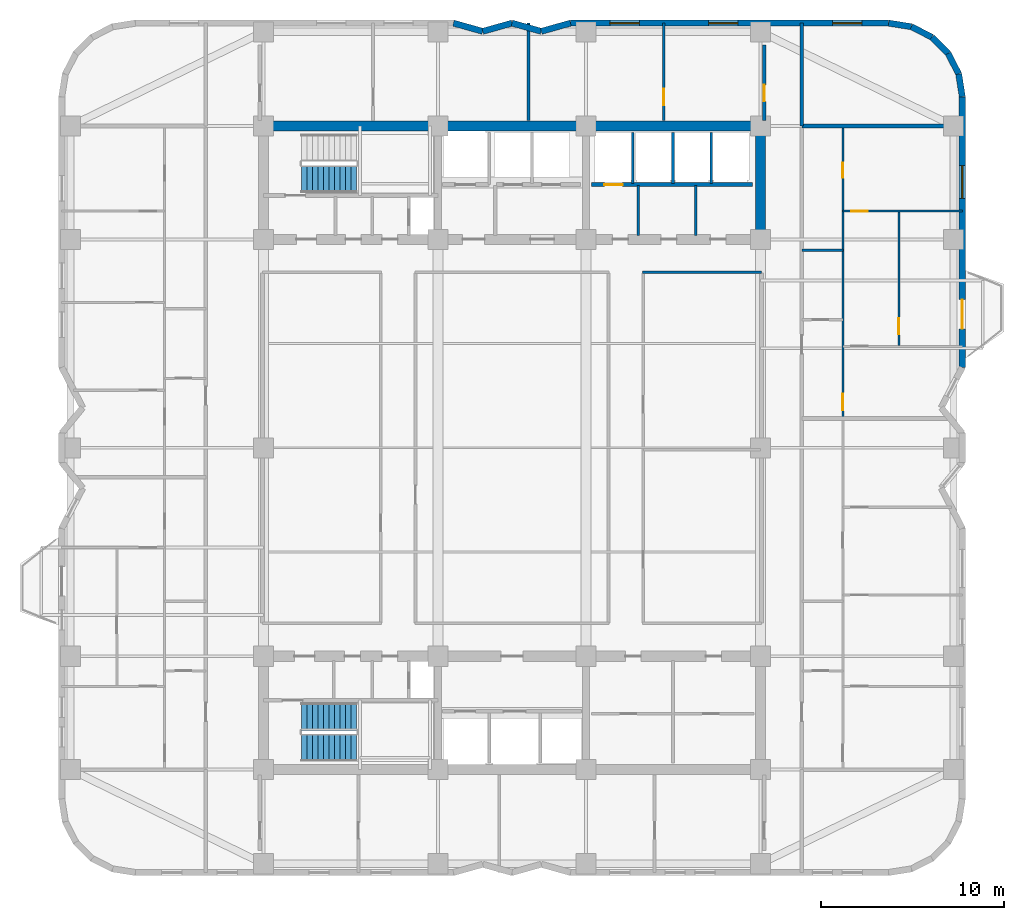
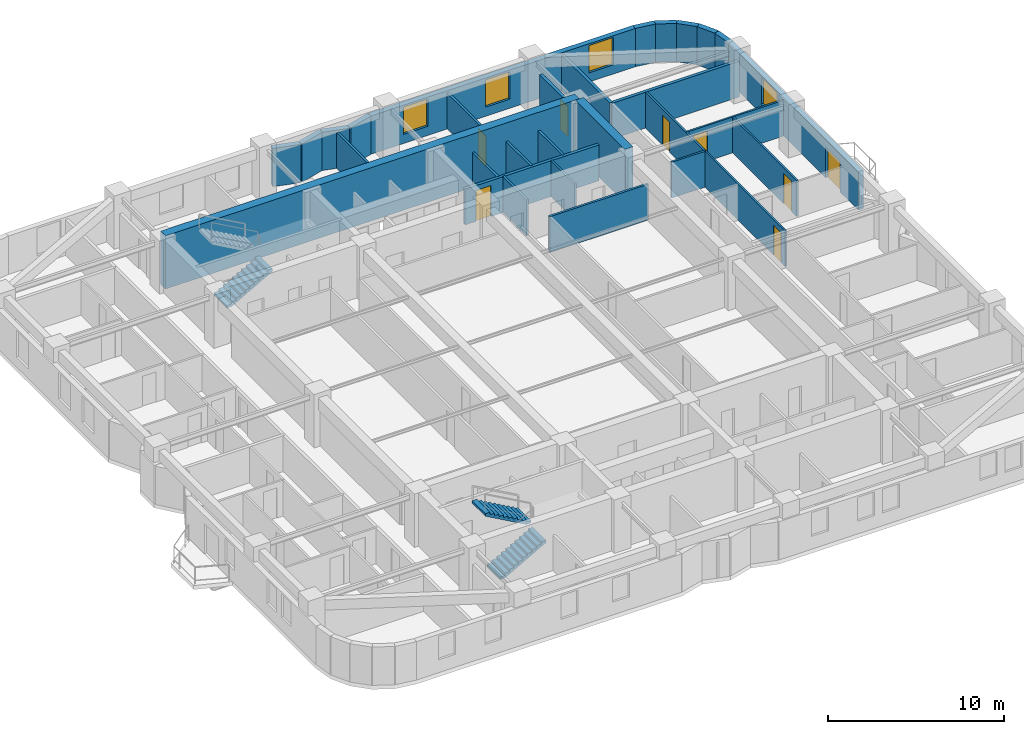
# One storey, part 7 of 10: 29 walls, 8 doors, 4 windows, 3 stair flights, 12 openings, 2 elements without a shape of their own.
"""IFC4 building model written with IfcOpenShell, lengths in metres."""

from ifc_helpers import new_model, si_unit, direction, frame, frame_2d, origin, place, context, subcontext, project, spatial, polyline, rectangle, outline, extrude, material, layer, layer_set, type_object, element, fill, aggregate, save


model = new_model("IFC4")

# Units and contexts
model_context = context("Model", 3, precision=1e-05, world=origin(), true_north=direction((0.0, 1.0)))
body_context = subcontext(model_context, "Body", "Model", "MODEL_VIEW")
ifc_project = project(units=[si_unit("LENGTHUNIT", "METRE"), si_unit("AREAUNIT", "SQUARE_METRE"), si_unit("VOLUMEUNIT", "CUBIC_METRE"), si_unit("PLANEANGLEUNIT", "RADIAN"), si_unit("MASSUNIT", "GRAM", prefix="KILO")], contexts=[model_context])

# Site, building, storey
site_placement = place(None, origin())
site = spatial("IfcSite", under=ifc_project, at=site_placement, CompositionType="ELEMENT")
building_placement = place(site_placement, origin())
building = spatial("IfcBuilding", under=site, at=building_placement, Name="Svetorya Sky Lyceum", CompositionType="ELEMENT")
storey_placement = place(building_placement, frame((0.0, 0.0, 132.699951171875)))
storey = spatial("IfcBuildingStorey", under=building, at=storey_placement, Name="L33", CompositionType="ELEMENT", Elevation=132.699951171875)

# Walls
ifc_material_1 = material(Name="Concrete C60/75", Category="concrete")
ifc_layer_1 = layer(ifc_material_1, 0.550048828125)
ifc_layer_set_1 = layer_set([ifc_layer_1], Name="Concrete C60/75")
wall_type_1 = type_object("IfcWallType", Name="WL-CORE-550", PredefinedType="SHEAR", material=ifc_layer_set_1)
wall_1_placement = place(storey_placement, frame((25.60009765625, 45.800048828125, 0.0), z_axis=(0.0, 0.0, 1.0), x_axis=(1.0, 0.0, 0.0)))
element("IfcWall", 1, at=wall_1_placement, inside=storey, type_object=wall_type_1, Name="L33 NC Outer Core Shear Wall", PredefinedType="SHEAR", context=body_context, shape_type="SweptSolid", body=[
    extrude(rectangle(XDim=27.199951171875, YDim=0.550048828125, at=frame_2d((13.60009765625, 0.0))), origin(), (0.0, 0.0, 1.0), 3.699951171875),
])
wall_2_placement = place(storey_placement, frame((52.800048828125, 39.875, 0.0), z_axis=(0.0, 0.0, 1.0), x_axis=(0.0, 1.0, 0.0)))
element("IfcWall", 2, at=wall_2_placement, inside=storey, type_object=wall_type_1, Name="L33 NC East Core Shear Wall", PredefinedType="SHEAR", context=body_context, shape_type="SweptSolid", body=[
    extrude(rectangle(XDim=5.64990234375, YDim=0.550048828125, at=frame_2d((2.824951171875, 0.0))), origin(), (0.0, 0.0, 1.0), 3.699951171875),
])

# Wall, openings, door, window
ifc_material_2 = material(Name="Putilovo limestone rainscreen on autoclaved cellular masonry", Category="masonry")
ifc_layer_2 = layer(ifc_material_2, 0.340087890625)
ifc_layer_set_2 = layer_set([ifc_layer_2], Name="Putilovo limestone rainscreen on autoclaved cellular masonry")
wall_type_2 = type_object("IfcWallType", Name="WL-EXT-340", PredefinedType="SOLIDWALL", material=ifc_layer_set_2)
wall_3_placement = place(storey_placement, frame((63.830078125, 32.60009765625, 0.0), z_axis=(0.0, 0.0, 1.0), x_axis=(0.0, 1.0, 0.0)))
wall_3 = element("IfcWall", 3, at=wall_3_placement, inside=storey, type_object=wall_type_2, Name="L33 Limestone Exterior Wall 23M", PredefinedType="SOLIDWALL", context=body_context, shape_type="SweptSolid", body=[
    extrude(rectangle(XDim=14.7998046875, YDim=0.340087890625, at=frame_2d((7.39990234375, 0.0))), origin(), (0.0, 0.0, 1.0), 2.66015625),
])
opening_1_placement = place(wall_3_placement, frame((2.10009765625, 0.0, 0.0)))
opening_1 = element("IfcOpeningElement", 4, at=opening_1_placement, cuts=wall_3, Name="Opening D-BL1", PredefinedType="OPENING", context=body_context, shape_type="SweptSolid", body=[
    extrude(rectangle(XDim=1.60009765625, YDim=2.10009765625, at=frame_2d((0.800048828125, 1.050048828125))), frame((0.0, 0.179931640625, 0.0), z_axis=(0.0, -1.0, 0.0), x_axis=(1.0, 0.0, 0.0)), (0.0, 0.0, 1.0), 0.360107421875),
])
opening_2_placement = place(wall_3_placement, frame((9.237548828125, 0.0, 0.68994140625)))
opening_2 = element("IfcOpeningElement", 5, at=opening_2_placement, cuts=wall_3, Name="Opening W-R1", PredefinedType="OPENING", context=body_context, shape_type="SweptSolid", body=[
    extrude(rectangle(XDim=1.800048828125, YDim=1.85009765625, at=frame_2d((0.89990234375, 0.925048828125))), frame((0.0, 0.179931640625, 0.0), z_axis=(0.0, -1.0, 0.0), x_axis=(1.0, 0.0, 0.0)), (0.0, 0.0, 1.0), 0.360107421875),
])
ifc_material_3 = material(Name="Insulated glazed aluminium balcony door", Category="aluminium")
door_type_1 = type_object("IfcDoorType", Name="DR-BAL-1600", OperationType="DOUBLE_DOOR_SINGLE_SWING", PredefinedType="DOOR", material=ifc_material_3)
door_1_placement = place(opening_1_placement, origin())
door_1 = element("IfcDoor", 6, at=door_1_placement, inside=storey, type_object=door_type_1, Name="L33 Balcony BAL-E1 Door", OperationType="DOUBLE_DOOR_SINGLE_SWING", OverallHeight=2.10009765625, OverallWidth=1.60009765625, PredefinedType="DOOR", context=body_context, shape_type="SweptSolid", body=[
    extrude(rectangle(XDim=1.60009765625, YDim=2.10009765625, at=frame_2d((0.800048828125, 1.050048828125))), frame((0.0, 0.02490234375, 0.0), z_axis=(0.0, -1.0, 0.0), x_axis=(1.0, 0.0, 0.0)), (0.0, 0.0, 1.0), 0.050048828125),
])
fill(opening_1, door_1)
ifc_material_4 = material(Name="Thermally broken aluminium frame with triple low-E glazing", Category="aluminium")
window_type_1 = type_object("IfcWindowType", Name="WN-RES-180", PartitioningType="DOUBLE_PANEL_VERTICAL", PredefinedType="WINDOW", material=ifc_material_4)
window_1_placement = place(opening_2_placement, origin())
window_1 = element("IfcWindow", 7, at=window_1_placement, inside=storey, type_object=window_type_1, Name="L33 Facade Window W-R1.23M.1", OverallHeight=1.85009765625, OverallWidth=1.800048828125, PartitioningType="SINGLE_PANEL", PredefinedType="WINDOW", context=body_context, shape_type="SweptSolid", body=[
    extrude(rectangle(XDim=1.800048828125, YDim=1.85009765625, at=frame_2d((0.89990234375, 0.925048828125))), frame((0.0, 0.030029296875, 0.0), z_axis=(0.0, -1.0, 0.0), x_axis=(1.0, 0.0, 0.0)), (0.0, 0.0, 1.0), 0.06005859375),
])
fill(opening_2, window_1)

# Walls
for number, where, z_axis, x_axis, name in (
    (8, (63.830078125, 47.39990234375, 0.0), (0.0, 0.0, 1.0), (-0.15644975923, 0.987685918112, 0.0), "L33 Limestone Exterior Wall 24M"),
    (9, (63.6328125, 48.645263671875, 0.0), (0.0, 0.0, 1.0), (-0.454015689056, 0.890993689142, 0.0), "L33 Limestone Exterior Wall 25M"),
    (10, (63.060302734375, 49.768798828125, 0.0), (0.0, 0.0, 1.0), (-0.707106781187, 0.707106781187, 0.0), "L33 Limestone Exterior Wall 26M"),
):
    element("IfcWall", number, at=place(storey_placement, frame(where, z_axis=z_axis, x_axis=x_axis)), inside=storey, type_object=wall_type_2, Name=name, PredefinedType="SOLIDWALL", context=body_context, shape_type="SweptSolid", body=[
        extrude(rectangle(XDim=1.260986328125, YDim=0.340087890625, at=frame_2d((0.63037109375, 0.0))), origin(), (0.0, 0.0, 1.0), 2.66015625),
    ])
for number, where, z_axis, x_axis, name in (
    (11, (62.168701171875, 50.660400390625, 0.0), (0.0, 0.0, 1.0), (-0.890953769915, 0.454094020963, 0.0), "L33 Limestone Exterior Wall 27M"),
    (12, (61.04541015625, 51.23291015625, 0.0), (0.0, 0.0, 1.0), (-0.98771582066, 0.156260864002, 0.0), "L33 Limestone Exterior Wall 28M"),
):
    element("IfcWall", number, at=place(storey_placement, frame(where, z_axis=z_axis, x_axis=x_axis)), inside=storey, type_object=wall_type_2, Name=name, PredefinedType="SOLIDWALL", context=body_context, shape_type="SweptSolid", body=[
        extrude(rectangle(XDim=1.2607421875, YDim=0.340087890625, at=frame_2d((0.63037109375, 0.0))), origin(), (0.0, 0.0, 1.0), 2.66015625),
    ])

# Wall, openings, windows
wall_4_placement = place(storey_placement, frame((59.800048828125, 51.429931640625, 0.0), z_axis=(0.0, 0.0, 1.0), x_axis=(-1.0, 0.0, 0.0)))
wall_4 = element("IfcWall", 13, at=wall_4_placement, inside=storey, type_object=wall_type_2, Name="L33 Limestone Exterior Wall 29M", PredefinedType="SOLIDWALL", context=body_context, shape_type="SweptSolid", body=[
    extrude(rectangle(XDim=17.400146484375, YDim=0.340087890625, at=frame_2d((8.7001953125, 0.0))), origin(), (0.0, 0.0, 1.0), 2.66015625),
])
opening_3_placement = place(wall_4_placement, frame((1.4599609375, 0.0, 0.639892578125)))
opening_3 = element("IfcOpeningElement", 14, at=opening_3_placement, cuts=wall_4, Name="Opening W-R4", PredefinedType="OPENING", context=body_context, shape_type="SweptSolid", body=[
    extrude(rectangle(XDim=1.60009765625, YDim=1.89990234375, at=frame_2d((0.800048828125, 0.949951171875))), frame((0.0, 0.179931640625, 0.0), z_axis=(0.0, -1.0, 0.0), x_axis=(1.0, 0.0, 0.0)), (0.0, 0.0, 1.0), 0.360107421875),
])
opening_4_placement = place(wall_4_placement, frame((8.25, 0.0, 0.639892578125)))
opening_4 = element("IfcOpeningElement", 15, at=opening_4_placement, cuts=wall_4, Name="Opening W-R4", PredefinedType="OPENING", context=body_context, shape_type="SweptSolid", body=[
    extrude(rectangle(XDim=1.60009765625, YDim=1.89990234375, at=frame_2d((0.800048828125, 0.949951171875))), frame((0.0, 0.179931640625, 0.0), z_axis=(0.0, -1.0, 0.0), x_axis=(1.0, 0.0, 0.0)), (0.0, 0.0, 1.0), 0.360107421875),
])
opening_5_placement = place(wall_4_placement, frame((13.639892578125, 0.0, 0.639892578125)))
opening_5 = element("IfcOpeningElement", 16, at=opening_5_placement, cuts=wall_4, Name="Opening W-R4", PredefinedType="OPENING", context=body_context, shape_type="SweptSolid", body=[
    extrude(rectangle(XDim=1.60009765625, YDim=1.89990234375, at=frame_2d((0.800048828125, 0.949951171875))), frame((0.0, 0.179931640625, 0.0), z_axis=(0.0, -1.0, 0.0), x_axis=(1.0, 0.0, 0.0)), (0.0, 0.0, 1.0), 0.360107421875),
])
window_type_2 = type_object("IfcWindowType", Name="WN-RES-160", PartitioningType="DOUBLE_PANEL_VERTICAL", PredefinedType="WINDOW", material=ifc_material_4)
window_2_placement = place(opening_3_placement, origin())
window_2 = element("IfcWindow", 17, at=window_2_placement, inside=storey, type_object=window_type_2, Name="L33 Facade Window W-R4.29M.1", OverallHeight=1.89990234375, OverallWidth=1.60009765625, PartitioningType="SINGLE_PANEL", PredefinedType="WINDOW", context=body_context, shape_type="SweptSolid", body=[
    extrude(rectangle(XDim=1.60009765625, YDim=1.89990234375, at=frame_2d((0.800048828125, 0.949951171875))), frame((0.0, 0.030029296875, 0.0), z_axis=(0.0, -1.0, 0.0), x_axis=(1.0, 0.0, 0.0)), (0.0, 0.0, 1.0), 0.06005859375),
])
fill(opening_3, window_2)
window_3_placement = place(opening_4_placement, origin())
window_3 = element("IfcWindow", 18, at=window_3_placement, inside=storey, type_object=window_type_2, Name="L33 Facade Window W-R4.29M.2", OverallHeight=1.89990234375, OverallWidth=1.60009765625, PartitioningType="SINGLE_PANEL", PredefinedType="WINDOW", context=body_context, shape_type="SweptSolid", body=[
    extrude(rectangle(XDim=1.60009765625, YDim=1.89990234375, at=frame_2d((0.800048828125, 0.949951171875))), frame((0.0, 0.030029296875, 0.0), z_axis=(0.0, -1.0, 0.0), x_axis=(1.0, 0.0, 0.0)), (0.0, 0.0, 1.0), 0.06005859375),
])
fill(opening_4, window_3)
window_4_placement = place(opening_5_placement, origin())
window_4 = element("IfcWindow", 19, at=window_4_placement, inside=storey, type_object=window_type_2, Name="L33 Facade Window W-R4.29M.3", OverallHeight=1.89990234375, OverallWidth=1.60009765625, PartitioningType="SINGLE_PANEL", PredefinedType="WINDOW", context=body_context, shape_type="SweptSolid", body=[
    extrude(rectangle(XDim=1.60009765625, YDim=1.89990234375, at=frame_2d((0.800048828125, 0.949951171875))), frame((0.0, 0.030029296875, 0.0), z_axis=(0.0, -1.0, 0.0), x_axis=(1.0, 0.0, 0.0)), (0.0, 0.0, 1.0), 0.06005859375),
])
fill(opening_5, window_4)

# Walls
wall_5_placement = place(storey_placement, frame((42.39990234375, 51.429931640625, 0.0), z_axis=(0.0, 0.0, 1.0), x_axis=(-0.962652136636, -0.270741322725, 0.0)))
element("IfcWall", 20, at=wall_5_placement, inside=storey, type_object=wall_type_2, Name="L33 Limestone Exterior Wall 30M", PredefinedType="SOLIDWALL", context=body_context, shape_type="SweptSolid", body=[
    extrude(rectangle(XDim=1.661865234375, YDim=0.340087890625, at=frame_2d((0.8310546875, 0.0))), origin(), (0.0, 0.0, 1.0), 2.66015625),
])
wall_6_placement = place(storey_placement, frame((40.800048828125, 50.97998046875, 0.0), z_axis=(0.0, 0.0, 1.0), x_axis=(-0.962662902433, 0.270703040766, 0.0)))
element("IfcWall", 21, at=wall_6_placement, inside=storey, type_object=wall_type_2, Name="L33 Limestone Exterior Wall 31M", PredefinedType="SOLIDWALL", context=body_context, shape_type="SweptSolid", body=[
    extrude(rectangle(XDim=1.662109375, YDim=0.340087890625, at=frame_2d((0.8310546875, 0.0))), origin(), (0.0, 0.0, 1.0), 2.66015625),
])
wall_7_placement = place(storey_placement, frame((39.199951171875, 51.429931640625, 0.0), z_axis=(0.0, 0.0, 1.0), x_axis=(-0.962652136636, -0.270741322725, 0.0)))
element("IfcWall", 22, at=wall_7_placement, inside=storey, type_object=wall_type_2, Name="L33 Limestone Exterior Wall 32M", PredefinedType="SOLIDWALL", context=body_context, shape_type="SweptSolid", body=[
    extrude(rectangle(XDim=1.661865234375, YDim=0.340087890625, at=frame_2d((0.8310546875, 0.0))), origin(), (0.0, 0.0, 1.0), 2.66015625),
])
wall_8_placement = place(storey_placement, frame((37.60009765625, 50.97998046875, 0.0), z_axis=(0.0, 0.0, 1.0), x_axis=(-0.962662902433, 0.270703040766, 0.0)))
element("IfcWall", 23, at=wall_8_placement, inside=storey, type_object=wall_type_2, Name="L33 Limestone Exterior Wall 33M", PredefinedType="SOLIDWALL", context=body_context, shape_type="SweptSolid", body=[
    extrude(rectangle(XDim=1.662109375, YDim=0.340087890625, at=frame_2d((0.8310546875, 0.0))), origin(), (0.0, 0.0, 1.0), 2.66015625),
])

# Wall, opening, door
ifc_material_5 = material(Name="Twin-stud galvanized framing with double fireboard", Category="gypsum")
ifc_layer_3 = layer(ifc_material_5, 0.1201171875)
ifc_layer_set_3 = layer_set([ifc_layer_3], Name="Twin-stud galvanized framing with double fireboard")
wall_type_3 = type_object("IfcWallType", Name="WL-PART-120", PredefinedType="PARTITIONING", material=ifc_layer_set_3)
wall_9_placement = place(storey_placement, frame((60.36083984375, 33.7900390625, 0.0), z_axis=(0.0, 0.0, 1.0), x_axis=(0.0, 1.0, 0.0)))
wall_9 = element("IfcWall", 24, at=wall_9_placement, inside=storey, type_object=wall_type_3, Name="L33 Interior Partition E2-BVD1", PredefinedType="PARTITIONING", context=body_context, shape_type="SweptSolid", body=[
    extrude(rectangle(XDim=7.320068359375, YDim=0.1201171875, at=frame_2d((3.66015625, 0.0))), origin(), (0.0, 0.0, 1.0), 2.489990234375),
])
opening_6_placement = place(wall_9_placement, frame((0.610107421875, 0.0, 0.0)))
opening_6 = element("IfcOpeningElement", 25, at=opening_6_placement, cuts=wall_9, Name="Opening D-RM1", PredefinedType="OPENING", context=body_context, shape_type="SweptSolid", body=[
    extrude(rectangle(XDim=0.89990234375, YDim=2.10009765625, at=frame_2d((0.449951171875, 1.050048828125))), frame((0.0, 0.070068359375, 0.0), z_axis=(0.0, -1.0, 0.0), x_axis=(1.0, 0.0, 0.0)), (0.0, 0.0, 1.0), 0.14013671875),
])
ifc_material_6 = material(Name="Lacquered birch veneer internal door")
door_type_2 = type_object("IfcDoorType", Name="DR-INT-900", OperationType="SINGLE_SWING_LEFT", PredefinedType="DOOR", material=ifc_material_6)
door_2_placement = place(opening_6_placement, origin())
door_2 = element("IfcDoor", 26, at=door_2_placement, inside=storey, type_object=door_type_2, Name="Apartment E2 Suite Bedroom Door", OperationType="SINGLE_SWING_LEFT", OverallHeight=2.10009765625, OverallWidth=0.89990234375, PredefinedType="DOOR", context=body_context, shape_type="SweptSolid", body=[
    extrude(rectangle(XDim=0.89990234375, YDim=2.10009765625, at=frame_2d((0.449951171875, 1.050048828125))), frame((0.0, 0.02490234375, 0.0), z_axis=(0.0, -1.0, 0.0), x_axis=(1.0, 0.0, 0.0)), (0.0, 0.0, 1.0), 0.050048828125),
])
fill(opening_6, door_2)

wall_10_placement = place(storey_placement, frame((57.300048828125, 41.14990234375, 0.0), z_axis=(0.0, 0.0, 1.0), x_axis=(1.0, 0.0, 0.0)))
wall_10 = element("IfcWall", 27, at=wall_10_placement, inside=storey, type_object=wall_type_3, Name="L33 Interior Partition E2-WL2", PredefinedType="PARTITIONING", context=body_context, shape_type="SweptSolid", body=[
    extrude(rectangle(XDim=6.530029296875, YDim=0.1201171875, at=frame_2d((3.26513671875, 0.0))), origin(), (0.0, 0.0, 1.0), 2.489990234375),
])
opening_7_placement = place(wall_10_placement, frame((0.449951171875, 0.0, 0.0)))
opening_7 = element("IfcOpeningElement", 28, at=opening_7_placement, cuts=wall_10, Name="Opening D-RM1", PredefinedType="OPENING", context=body_context, shape_type="SweptSolid", body=[
    extrude(rectangle(XDim=0.89990234375, YDim=2.10009765625, at=frame_2d((0.449951171875, 1.050048828125))), frame((0.0, 0.070068359375, 0.0), z_axis=(0.0, -1.0, 0.0), x_axis=(1.0, 0.0, 0.0)), (0.0, 0.0, 1.0), 0.14013671875),
])
door_3_placement = place(opening_7_placement, origin())
door_3 = element("IfcDoor", 29, at=door_3_placement, inside=storey, type_object=door_type_2, Name="Apartment E2 Bedroom 2 Door", OperationType="SINGLE_SWING_RIGHT", OverallHeight=2.10009765625, OverallWidth=0.89990234375, PredefinedType="DOOR", context=body_context, shape_type="SweptSolid", body=[
    extrude(rectangle(XDim=0.89990234375, YDim=2.10009765625, at=frame_2d((0.449951171875, 1.050048828125))), frame((0.0, 0.02490234375, 0.0), z_axis=(0.0, -1.0, 0.0), x_axis=(1.0, 0.0, 0.0)), (0.0, 0.0, 1.0), 0.050048828125),
])
fill(opening_7, door_3)

# Wall, openings, doors
wall_11_placement = place(storey_placement, frame((57.300048828125, 29.840087890625, 0.0), z_axis=(0.0, 0.0, 1.0), x_axis=(0.0, 1.0, 0.0)))
wall_11 = element("IfcWall", 30, at=wall_11_placement, inside=storey, type_object=wall_type_3, Name="L33 Interior Partition E2-WV", PredefinedType="PARTITIONING", context=body_context, shape_type="SweptSolid", body=[
    extrude(rectangle(XDim=15.919921875, YDim=0.1201171875, at=frame_2d((7.9599609375, 0.0))), origin(), (0.0, 0.0, 1.0), 2.489990234375),
])
opening_8_placement = place(wall_11_placement, frame((0.409912109375, 0.0, 0.0)))
opening_8 = element("IfcOpeningElement", 31, at=opening_8_placement, cuts=wall_11, Name="Opening D-RM1", PredefinedType="OPENING", context=body_context, shape_type="SweptSolid", body=[
    extrude(rectangle(XDim=0.89990234375, YDim=2.10009765625, at=frame_2d((0.449951171875, 1.050048828125))), frame((0.0, 0.070068359375, 0.0), z_axis=(0.0, -1.0, 0.0), x_axis=(1.0, 0.0, 0.0)), (0.0, 0.0, 1.0), 0.14013671875),
])
opening_9_placement = place(wall_11_placement, frame((13.125, 0.0, 0.0)))
opening_9 = element("IfcOpeningElement", 32, at=opening_9_placement, cuts=wall_11, Name="Opening D-BT2", PredefinedType="OPENING", context=body_context, shape_type="SweptSolid", body=[
    extrude(rectangle(XDim=0.820068359375, YDim=2.080078125, at=frame_2d((0.41015625, 1.0400390625))), frame((0.0, 0.070068359375, 0.0), z_axis=(0.0, -1.0, 0.0), x_axis=(1.0, 0.0, 0.0)), (0.0, 0.0, 1.0), 0.14013671875),
])
door_4_placement = place(opening_8_placement, origin())
door_4 = element("IfcDoor", 33, at=door_4_placement, inside=storey, type_object=door_type_2, Name="Apartment E2 Living Door", OperationType="SINGLE_SWING_RIGHT", OverallHeight=2.10009765625, OverallWidth=0.89990234375, PredefinedType="DOOR", context=body_context, shape_type="SweptSolid", body=[
    extrude(rectangle(XDim=0.89990234375, YDim=2.10009765625, at=frame_2d((0.449951171875, 1.050048828125))), frame((0.0, 0.02490234375, 0.0), z_axis=(0.0, -1.0, 0.0), x_axis=(1.0, 0.0, 0.0)), (0.0, 0.0, 1.0), 0.050048828125),
])
fill(opening_8, door_4)
ifc_material_7 = material(Name="Compact moisture-resistant laminate closet door")
door_type_3 = type_object("IfcDoorType", Name="DR-WET-820", OperationType="SINGLE_SWING_LEFT", PredefinedType="DOOR", material=ifc_material_7)
door_5_placement = place(opening_9_placement, origin())
door_5 = element("IfcDoor", 34, at=door_5_placement, inside=storey, type_object=door_type_3, Name="Apartment E2 Study Door", OperationType="SINGLE_SWING_LEFT", OverallHeight=2.080078125, OverallWidth=0.820068359375, PredefinedType="DOOR", context=body_context, shape_type="SweptSolid", body=[
    extrude(rectangle(XDim=0.820068359375, YDim=2.080078125, at=frame_2d((0.41015625, 1.0400390625))), frame((0.0, 0.02490234375, 0.0), z_axis=(0.0, -1.0, 0.0), x_axis=(1.0, 0.0, 0.0)), (0.0, 0.0, 1.0), 0.050048828125),
])
fill(opening_9, door_5)

# Walls
ifc_material_8 = material(Name="Twin-stud galvanized framing with acoustic board", Category="gypsum")
ifc_layer_4 = layer(ifc_material_8, 0.135009765625)
ifc_layer_set_4 = layer_set([ifc_layer_4], Name="Twin-stud galvanized framing with acoustic board")
wall_type_4 = type_object("IfcWallType", Name="WL-PART-135", PredefinedType="PARTITIONING", material=ifc_layer_set_4)
wall_12_placement = place(storey_placement, frame((49.25, 39.820068359375, 0.0), z_axis=(0.0, 0.0, 1.0), x_axis=(0.0, 1.0, 0.0)))
element("IfcWall", 35, at=wall_12_placement, inside=storey, type_object=wall_type_4, Name="L33 Interior Partition NC-Z2ED", PredefinedType="PARTITIONING", context=body_context, shape_type="SweptSolid", body=[
    extrude(rectangle(XDim=2.72998046875, YDim=0.135009765625, at=frame_2d((1.364990234375, 0.0))), origin(), (0.0, 0.0, 1.0), 2.489990234375),
])
wall_13_placement = place(storey_placement, frame((55.050048828125, 39.0, 0.0), z_axis=(0.0, 0.0, 1.0), x_axis=(1.0, 0.0, 0.0)))
element("IfcWall", 36, at=wall_13_placement, inside=storey, type_object=wall_type_4, Name="L33 Interior Partition E2-WH2", PredefinedType="PARTITIONING", context=body_context, shape_type="SweptSolid", body=[
    extrude(rectangle(XDim=2.25, YDim=0.135009765625, at=frame_2d((1.125, 0.0))), origin(), (0.0, 0.0, 1.0), 2.489990234375),
])
ifc_material_9 = material(Name="Autoclaved cellular masonry blockwork with acoustic render", Category="masonry")
ifc_layer_5 = layer(ifc_material_9, 0.14990234375)
ifc_layer_set_5 = layer_set([ifc_layer_5], Name="Autoclaved cellular masonry blockwork with acoustic render")
wall_type_5 = type_object("IfcWallType", Name="WL-PART-150", PredefinedType="PARTITIONING", material=ifc_layer_set_5)
for number, where, z_axis, x_axis, name in (
    (37, (45.800048828125, 42.64990234375, 0.0), (0.0, 0.0, 1.0), (0.0, 1.0, 0.0), "L33 Interior Partition NC-PM3-D"),
    (38, (48.0, 42.64990234375, 0.0), (0.0, 0.0, 1.0), (0.0, 1.0, 0.0), "L33 Interior Partition NC-PH-D1"),
    (39, (50.10009765625, 42.64990234375, 0.0), (0.0, 0.0, 1.0), (0.0, 1.0, 0.0), "L33 Interior Partition NC-PH-D2"),
):
    element("IfcWall", number, at=place(storey_placement, frame(where, z_axis=z_axis, x_axis=x_axis)), inside=storey, type_object=wall_type_5, Name=name, PredefinedType="PARTITIONING", context=body_context, shape_type="SweptSolid", body=[
        extrude(rectangle(XDim=2.800048828125, YDim=0.14990234375, at=frame_2d((1.39990234375, 0.0))), origin(), (0.0, 0.0, 1.0), 2.489990234375),
    ])
wall_14_placement = place(storey_placement, frame((46.10009765625, 39.820068359375, 0.0), z_axis=(0.0, 0.0, 1.0), x_axis=(0.0, 1.0, 0.0)))
element("IfcWall", 40, at=wall_14_placement, inside=storey, type_object=wall_type_5, Name="L33 Interior Partition NC-PM3SEP", PredefinedType="PARTITIONING", context=body_context, shape_type="SweptSolid", body=[
    extrude(rectangle(XDim=2.72998046875, YDim=0.14990234375, at=frame_2d((1.364990234375, 0.0))), origin(), (0.0, 0.0, 1.0), 2.489990234375),
])
wall_15_placement = place(storey_placement, frame((46.35009765625, 37.800048828125, 0.0), z_axis=(0.0, 0.0, 1.0), x_axis=(1.0, 0.0, 0.0)))
element("IfcWall", 41, at=wall_15_placement, inside=storey, type_object=wall_type_5, Name="L33 Interior Partition RL-CN-E", PredefinedType="PARTITIONING", context=body_context, shape_type="SweptSolid", body=[
    extrude(rectangle(XDim=6.5, YDim=0.14990234375, at=frame_2d((3.25, 0.0))), origin(), (0.0, 0.0, 1.0), 2.489990234375),
])
wall_16_placement = place(storey_placement, frame((40.10009765625, 46.10009765625, 0.0), z_axis=(0.0, 0.0, 1.0), x_axis=(0.0, 1.0, 0.0)))
element("IfcWall", 42, at=wall_16_placement, inside=storey, type_object=wall_type_5, Name="L33 Interior Partition N4-D2", PredefinedType="PARTITIONING", context=body_context, shape_type="SweptSolid", body=[
    extrude(rectangle(XDim=5.329833984375, YDim=0.14990234375, at=frame_2d((2.6650390625, 0.0))), origin(), (0.0, 0.0, 1.0), 2.489990234375),
])

# Wall, opening, door
wall_17_placement = place(storey_placement, frame((47.5, 46.10009765625, 0.0), z_axis=(0.0, 0.0, 1.0), x_axis=(0.0, 1.0, 0.0)))
wall_17 = element("IfcWall", 43, at=wall_17_placement, inside=storey, type_object=wall_type_5, Name="L33 Interior Partition N4-D3", PredefinedType="PARTITIONING", context=body_context, shape_type="SweptSolid", body=[
    extrude(rectangle(XDim=5.329833984375, YDim=0.14990234375, at=frame_2d((2.6650390625, 0.0))), origin(), (0.0, 0.0, 1.0), 2.489990234375),
])
opening_10_placement = place(wall_17_placement, frame((0.85009765625, 0.0, 0.0)))
opening_10 = element("IfcOpeningElement", 44, at=opening_10_placement, cuts=wall_17, Name="Opening D-RM1", PredefinedType="OPENING", context=body_context, shape_type="SweptSolid", body=[
    extrude(rectangle(XDim=0.89990234375, YDim=2.10009765625, at=frame_2d((0.449951171875, 1.050048828125))), frame((0.0, 0.0849609375, 0.0), z_axis=(0.0, -1.0, 0.0), x_axis=(1.0, 0.0, 0.0)), (0.0, 0.0, 1.0), 0.169921875),
])
door_6_placement = place(opening_10_placement, origin())
door_6 = element("IfcDoor", 45, at=door_6_placement, inside=storey, type_object=door_type_2, Name="L33 North Suite Door 3", OperationType="SINGLE_SWING_RIGHT", OverallHeight=2.10009765625, OverallWidth=0.89990234375, PredefinedType="DOOR", context=body_context, shape_type="SweptSolid", body=[
    extrude(rectangle(XDim=0.89990234375, YDim=2.10009765625, at=frame_2d((0.449951171875, 1.050048828125))), frame((0.0, 0.02490234375, 0.0), z_axis=(0.0, -1.0, 0.0), x_axis=(1.0, 0.0, 0.0)), (0.0, 0.0, 1.0), 0.050048828125),
])
fill(opening_10, door_6)

ifc_material_10 = material(Name="Autoclaved cellular masonry blockwork with gypsum plaster", Category="masonry")
ifc_layer_6 = layer(ifc_material_10, 0.199951171875)
ifc_layer_set_6 = layer_set([ifc_layer_6], Name="Autoclaved cellular masonry blockwork with gypsum plaster")
wall_type_6 = type_object("IfcWallType", Name="WL-PART-200", PredefinedType="PARTITIONING", material=ifc_layer_set_6)
wall_18_placement = place(storey_placement, frame((52.35009765625, 42.60009765625, 0.0), z_axis=(0.0, 0.0, 1.0), x_axis=(-1.0, 0.0, 0.0)))
wall_18 = element("IfcWall", 46, at=wall_18_placement, inside=storey, type_object=wall_type_6, Name="L33 Interior Partition NC-PHEW", PredefinedType="PARTITIONING", context=body_context, shape_type="SweptSolid", body=[
    extrude(rectangle(XDim=8.800048828125, YDim=0.199951171875, at=frame_2d((4.39990234375, 0.0))), origin(), (0.0, 0.0, 1.0), 2.489990234375),
])
opening_11_placement = place(wall_18_placement, frame((7.10009765625, 0.0, 0.0)))
opening_11 = element("IfcOpeningElement", 47, at=opening_11_placement, cuts=wall_18, Name="Opening LD-P1", PredefinedType="OPENING", context=body_context, shape_type="SweptSolid", body=[
    extrude(rectangle(XDim=1.0, YDim=2.14990234375, at=frame_2d((0.5, 1.074951171875))), frame((0.0, 0.10986328125, 0.0), z_axis=(0.0, -1.0, 0.0), x_axis=(1.0, 0.0, 0.0)), (0.0, 0.0, 1.0), 0.219970703125),
])
ifc_material_11 = material(Name="Champagne-anodized stainless passenger lift landing door")
door_type_4 = type_object("IfcDoorType", Name="DR-LIFT-1000", OperationType="SLIDING_TO_LEFT", PredefinedType="DOOR", material=ifc_material_11)
door_7_placement = place(opening_11_placement, origin())
door_7 = element("IfcDoor", 48, at=door_7_placement, inside=storey, type_object=door_type_4, Name="L33 Passenger Lift PM3 Landing Door", OperationType="SLIDING_TO_LEFT", OverallHeight=2.14990234375, OverallWidth=1.0, PredefinedType="DOOR", context=body_context, shape_type="SweptSolid", body=[
    extrude(rectangle(XDim=1.0, YDim=2.14990234375, at=frame_2d((0.5, 1.074951171875))), frame((0.0, 0.02490234375, 0.0), z_axis=(0.0, -1.0, 0.0), x_axis=(1.0, 0.0, 0.0)), (0.0, 0.0, 1.0), 0.050048828125),
])
fill(opening_11, door_7)

# Walls
wall_19_placement = place(storey_placement, frame((55.050048828125, 45.800048828125, 0.0), z_axis=(0.0, 0.0, 1.0), x_axis=(1.0, 0.0, 0.0)))
element("IfcWall", 49, at=wall_19_placement, inside=storey, type_object=wall_type_6, Name="L33 Interior Partition E-CAP-N", PredefinedType="PARTITIONING", context=body_context, shape_type="SweptSolid", body=[
    extrude(rectangle(XDim=8.35986328125, YDim=0.199951171875, at=frame_2d((4.179931640625, 0.0))), origin(), (0.0, 0.0, 1.0), 2.489990234375),
])
wall_20_placement = place(storey_placement, frame((55.050048828125, 45.800048828125, 0.0), z_axis=(0.0, 0.0, 1.0), x_axis=(0.0, 1.0, 0.0)))
element("IfcWall", 50, at=wall_20_placement, inside=storey, type_object=wall_type_6, Name="L33 Interior Partition EC-NE-END", PredefinedType="PARTITIONING", context=body_context, shape_type="SweptSolid", body=[
    extrude(rectangle(XDim=5.6298828125, YDim=0.199951171875, at=frame_2d((2.81494140625, 0.0))), origin(), (0.0, 0.0, 1.0), 2.489990234375),
])

# Wall, opening, door
wall_21_placement = place(storey_placement, frame((53.0, 46.10009765625, 0.0), z_axis=(0.0, 0.0, 1.0), x_axis=(0.0, 1.0, 0.0)))
wall_21 = element("IfcWall", 51, at=wall_21_placement, inside=storey, type_object=wall_type_6, Name="L33 Interior Partition N4-EE", PredefinedType="PARTITIONING", context=body_context, shape_type="SweptSolid", body=[
    extrude(rectangle(XDim=4.1298828125, YDim=0.199951171875, at=frame_2d((2.06494140625, 0.0))), origin(), (0.0, 0.0, 1.0), 2.489990234375),
])
opening_12_placement = place(wall_21_placement, frame((1.050048828125, 0.0, 0.0)))
opening_12 = element("IfcOpeningElement", 52, at=opening_12_placement, cuts=wall_21, Name="Opening D-RM1", PredefinedType="OPENING", context=body_context, shape_type="SweptSolid", body=[
    extrude(rectangle(XDim=0.89990234375, YDim=2.10009765625, at=frame_2d((0.449951171875, 1.050048828125))), frame((0.0, 0.10986328125, 0.0), z_axis=(0.0, -1.0, 0.0), x_axis=(1.0, 0.0, 0.0)), (0.0, 0.0, 1.0), 0.219970703125),
])
door_8_placement = place(opening_12_placement, origin())
door_8 = element("IfcDoor", 53, at=door_8_placement, inside=storey, type_object=door_type_2, Name="L33 NE Office Door", OperationType="SINGLE_SWING_LEFT", OverallHeight=2.10009765625, OverallWidth=0.89990234375, PredefinedType="DOOR", context=body_context, shape_type="SweptSolid", body=[
    extrude(rectangle(XDim=0.89990234375, YDim=2.10009765625, at=frame_2d((0.449951171875, 1.050048828125))), frame((0.0, 0.02490234375, 0.0), z_axis=(0.0, -1.0, 0.0), x_axis=(1.0, 0.0, 0.0)), (0.0, 0.0, 1.0), 0.050048828125),
])
fill(opening_12, door_8)

# Stair, stair flight
ifc_material_12 = material(Name="Concrete C40/50", Category="concrete")
stair_type_1 = type_object("IfcStairType", Name="STR-ST-N", PredefinedType="HALF_TURN_STAIR", material=ifc_material_12)
stair_1_placement = place(storey_placement, origin())
stair_1 = element("IfcStair", 54, at=stair_1_placement, inside=storey, type_object=stair_type_1, Name="L33 North Core Smoke-Free Exit Stair N3", PredefinedType="HALF_TURN_STAIR")
stair_flight_type_1 = type_object("IfcStairFlightType", Name="SFL-ST-N", PredefinedType="STRAIGHT", material=ifc_material_12)
stair_flight_1_placement = place(storey_placement, frame((27.699951171875, 42.89990234375, 0.0), z_axis=(0.0, 0.0, 1.0), x_axis=(1.0, 0.0, 0.0)))
stair_flight_1 = element("IfcStairFlight", 55, at=stair_flight_1_placement, type_object=stair_flight_type_1, Name="ST-N flight 1", NumberOfRisers=11, NumberOfTreads=10, PredefinedType="STRAIGHT", RiserHeight=0.168181818, TreadLength=0.3, context=body_context, shape_type="SweptSolid", body=[
    extrude(outline(polyline([(0.0, 0.0), (0.0, 0.168212890625), (0.300048828125, 0.168212890625), (0.300048828125, 0.33642578125), (0.60009765625, 0.33642578125), (0.60009765625, 0.504638671875), (0.89990234375, 0.504638671875), (0.89990234375, 0.672607421875), (1.199951171875, 0.672607421875), (1.199951171875, 0.8408203125), (1.5, 0.8408203125), (1.5, 1.009033203125), (1.800048828125, 1.009033203125), (1.800048828125, 1.17724609375), (2.10009765625, 1.17724609375), (2.10009765625, 1.345458984375), (2.39990234375, 1.345458984375), (2.39990234375, 1.513671875), (2.699951171875, 1.513671875), (2.699951171875, 1.681884765625), (3.0, 1.681884765625), (3.0, 1.85009765625), (3.0, 1.510009765625), (0.306640625, 0.0), (0.0, 0.0)])), frame((0.0, 0.75, 0.0), z_axis=(0.0, -1.0, 0.0), x_axis=(1.0, 0.0, 0.0)), (0.0, 0.0, 1.0), 1.5),
])
aggregate(stair_1, [stair_flight_1])

# Stair, stair flights
stair_type_2 = type_object("IfcStairType", Name="STR-ST-S", PredefinedType="HALF_TURN_STAIR", material=ifc_material_12)
stair_2_placement = place(storey_placement, origin())
stair_2 = element("IfcStair", 56, at=stair_2_placement, inside=storey, type_object=stair_type_2, Name="L33 South Core Smoke-Free Exit Stair N2", PredefinedType="HALF_TURN_STAIR")
stair_flight_type_2 = type_object("IfcStairFlightType", Name="SFL-ST-S", PredefinedType="STRAIGHT", material=ifc_material_12)
stair_flight_2_placement = place(storey_placement, frame((27.699951171875, 11.800048828125, 0.0), z_axis=(0.0, 0.0, 1.0), x_axis=(1.0, 0.0, 0.0)))
stair_flight_2 = element("IfcStairFlight", 57, at=stair_flight_2_placement, type_object=stair_flight_type_2, Name="ST-S flight 1", NumberOfRisers=11, NumberOfTreads=10, PredefinedType="STRAIGHT", RiserHeight=0.168181818, TreadLength=0.3, context=body_context, shape_type="SweptSolid", body=[
    extrude(outline(polyline([(0.0, 0.0), (0.0, 0.168212890625), (0.300048828125, 0.168212890625), (0.300048828125, 0.33642578125), (0.60009765625, 0.33642578125), (0.60009765625, 0.504638671875), (0.89990234375, 0.504638671875), (0.89990234375, 0.672607421875), (1.199951171875, 0.672607421875), (1.199951171875, 0.8408203125), (1.5, 0.8408203125), (1.5, 1.009033203125), (1.800048828125, 1.009033203125), (1.800048828125, 1.17724609375), (2.10009765625, 1.17724609375), (2.10009765625, 1.345458984375), (2.39990234375, 1.345458984375), (2.39990234375, 1.513671875), (2.699951171875, 1.513671875), (2.699951171875, 1.681884765625), (3.0, 1.681884765625), (3.0, 1.85009765625), (3.0, 1.510009765625), (0.306640625, 0.0), (0.0, 0.0)])), frame((0.0, 0.75, 0.0), z_axis=(0.0, -1.0, 0.0), x_axis=(1.0, 0.0, 0.0)), (0.0, 0.0, 1.0), 1.5),
])
stair_flight_3_placement = place(storey_placement, frame((30.699951171875, 13.5, 1.85009765625), z_axis=(0.0, 0.0, 1.0), x_axis=(-1.0, 0.0, 0.0)))
stair_flight_3 = element("IfcStairFlight", 58, at=stair_flight_3_placement, type_object=stair_flight_type_2, Name="ST-S flight 2", NumberOfRisers=11, NumberOfTreads=10, PredefinedType="STRAIGHT", RiserHeight=0.168181818, TreadLength=0.3, context=body_context, shape_type="SweptSolid", body=[
    extrude(outline(polyline([(0.0, 0.0), (0.0, 0.168212890625), (0.300048828125, 0.168212890625), (0.300048828125, 0.33642578125), (0.60009765625, 0.33642578125), (0.60009765625, 0.504638671875), (0.89990234375, 0.504638671875), (0.89990234375, 0.672607421875), (1.199951171875, 0.672607421875), (1.199951171875, 0.8408203125), (1.5, 0.8408203125), (1.5, 1.009033203125), (1.800048828125, 1.009033203125), (1.800048828125, 1.17724609375), (2.10009765625, 1.17724609375), (2.10009765625, 1.345458984375), (2.39990234375, 1.345458984375), (2.39990234375, 1.513671875), (2.699951171875, 1.513671875), (2.699951171875, 1.681884765625), (3.0, 1.681884765625), (3.0, 1.85009765625), (3.0, 1.510009765625), (0.306640625, 0.0), (0.0, 0.0)])), frame((0.0, 0.75, 0.0), z_axis=(0.0, -1.0, 0.0), x_axis=(1.0, 0.0, 0.0)), (0.0, 0.0, 1.0), 1.5),
])
aggregate(stair_2, [stair_flight_2, stair_flight_3])

save(model, "model.ifc")
